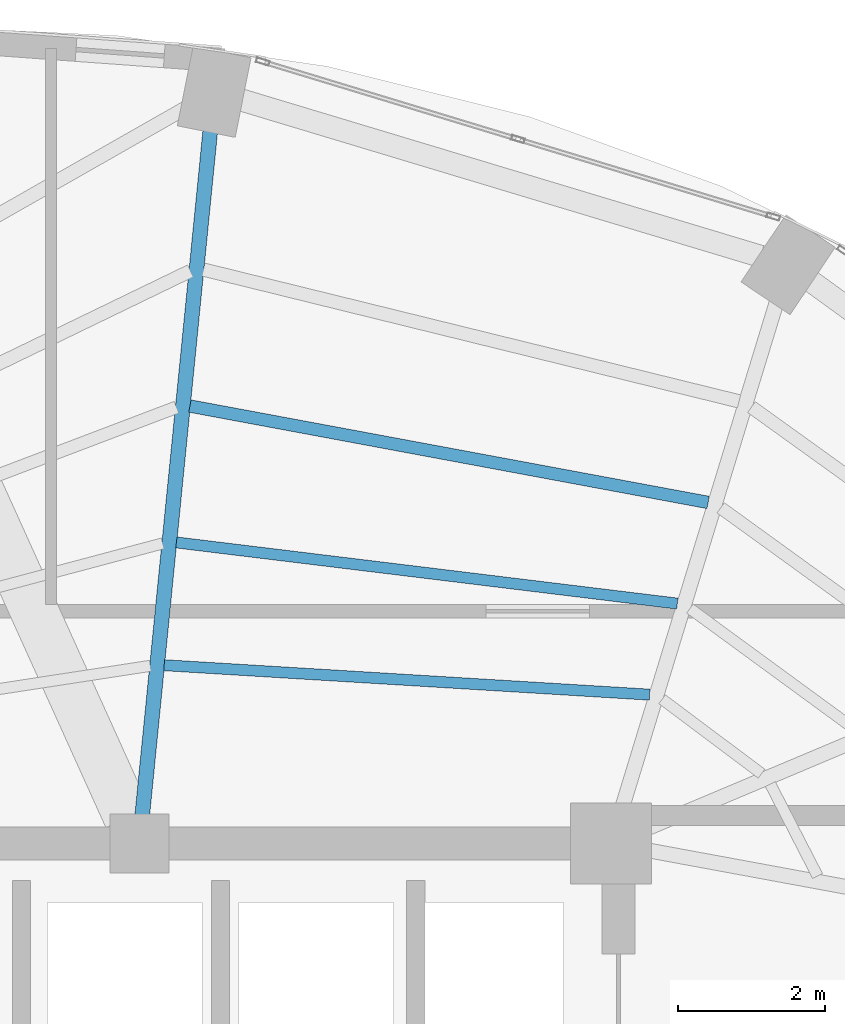
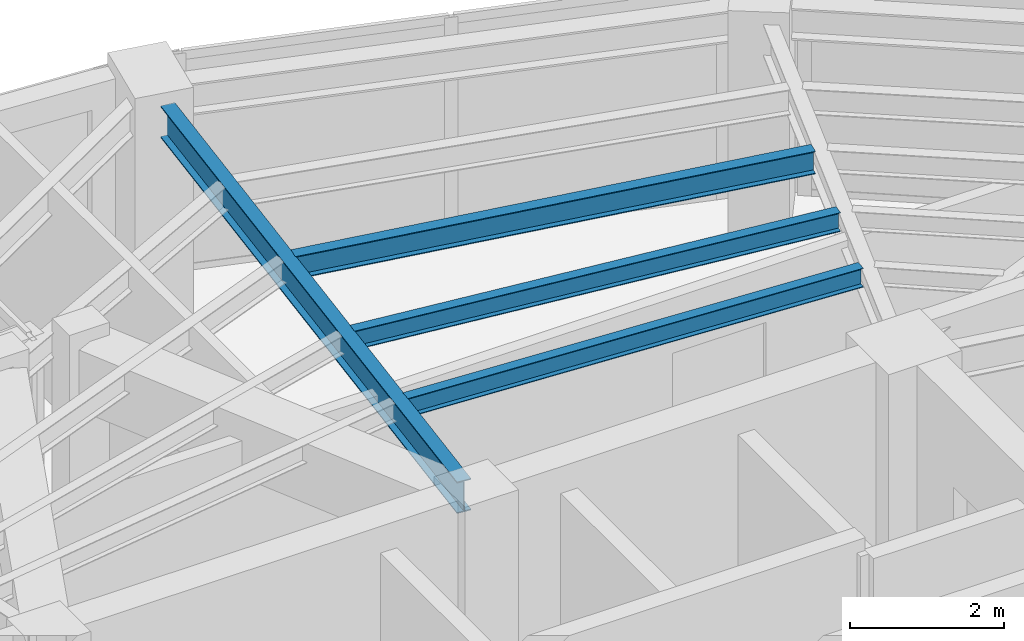
# One storey, part 12 of 22: 4 beams.
"""IFC4 building model written with IfcOpenShell, lengths in metres."""

from ifc_helpers import new_model, si_unit, direction, frame, origin, origin_2d, place, context, subcontext, project, spatial, i_section, extrude, material, material_profile, profile_set, type_object, element, save


model = new_model("IFC4")

# Units and contexts
model_context = context("Model", 3, precision=1e-05, world=origin(), true_north=direction((0.0, 1.0)))
body_context = subcontext(model_context, "Body", "Model", "MODEL_VIEW")
ifc_project = project(units=[si_unit("LENGTHUNIT", "METRE"), si_unit("AREAUNIT", "SQUARE_METRE"), si_unit("VOLUMEUNIT", "CUBIC_METRE"), si_unit("PLANEANGLEUNIT", "RADIAN"), si_unit("MASSUNIT", "GRAM", prefix="KILO")], contexts=[model_context])

# Site, building, storey
site_placement = place(None, origin())
site = spatial("IfcSite", under=ifc_project, at=site_placement, CompositionType="ELEMENT")
building_placement = place(site_placement, origin())
building = spatial("IfcBuilding", under=site, at=building_placement, Name="Lazwardi Medical Tower", CompositionType="ELEMENT")
storey_placement = place(building_placement, frame((0.0, 0.0, 251.3759765625)))
storey = spatial("IfcBuildingStorey", under=building, at=storey_placement, Name="L65", CompositionType="ELEMENT", Elevation=251.3759765625)

# Beams
ifc_material = material(Name="Steel S355", Category="steel")
ifc_material_profile_1 = material_profile(ifc_material, i_section(OverallWidth=0.199951171875, OverallDepth=0.5, WebThickness=0.01025390625, FlangeThickness=0.01611328125, at=origin_2d()), Name="IPE 500")
ifc_profile_set_1 = profile_set([ifc_material_profile_1], Name="Steel S355")
beam_type_1 = type_object("IfcBeamType", Name="BM-RG-W3", PredefinedType="BEAM", material=ifc_profile_set_1)
beam_1_placement = place(storey_placement, frame((40.1611328125, 45.265869140625, 3.197998046875), z_axis=(-0.098954361922, -0.995091972763, 0.0), x_axis=(0.995091972763, -0.098954361922, 0.0)))
element("IfcBeam", 1, at=beam_1_placement, inside=storey, type_object=beam_type_1, Name="Radial girder RG-04 R08 L65", PredefinedType="BEAM", context=body_context, shape_type="SweptSolid", body=[
    extrude(i_section(OverallWidth=0.199951171875, OverallDepth=0.5, WebThickness=0.01025390625, FlangeThickness=0.01611328125, at=origin_2d()), origin(), (0.0, 0.0, 1.0), 9.32861328125),
])
ifc_material_profile_2 = material_profile(ifc_material, i_section(OverallWidth=0.169921875, OverallDepth=0.360107421875, WebThickness=0.008056640625, FlangeThickness=0.0126953125, at=origin_2d()), Name="IPE 360")
ifc_profile_set_2 = profile_set([ifc_material_profile_2], Name="Steel S355")
beam_type_2 = type_object("IfcBeamType", Name="BM-SJ-02", PredefinedType="JOIST", material=ifc_profile_set_2)
beam_2_placement = place(storey_placement, frame((46.91552734375, 40.2275390625, 3.26806640625), z_axis=(-0.983132476587, 0.182894870019, 0.0), x_axis=(-0.182894870019, -0.983132476587, 0.0)))
element("IfcBeam", 2, at=beam_2_placement, inside=storey, type_object=beam_type_2, Name="Secondary joist SJ-02 R2 B07 L65", PredefinedType="JOIST", context=body_context, shape_type="SweptSolid", body=[
    extrude(i_section(OverallWidth=0.169921875, OverallDepth=0.360107421875, WebThickness=0.008056640625, FlangeThickness=0.0126953125, at=origin_2d()), origin(), (0.0, 0.0, 1.0), 7.15087890625),
])
ifc_material_profile_3 = material_profile(ifc_material, i_section(OverallWidth=0.14990234375, OverallDepth=0.300048828125, WebThickness=0.007080078125, FlangeThickness=0.0107421875, at=origin_2d()), Name="IPE 300")
ifc_profile_set_3 = profile_set([ifc_material_profile_3], Name="Steel S355")
beam_type_3 = type_object("IfcBeamType", Name="BM-SJ-03", PredefinedType="JOIST", material=ifc_profile_set_3)
beam_3_placement = place(storey_placement, frame((46.4970703125, 38.85546875, 3.298095703125), z_axis=(-0.992634689535, 0.121146081783, 0.0), x_axis=(-0.121146081783, -0.992634689535, 0.0)))
element("IfcBeam", 3, at=beam_3_placement, inside=storey, type_object=beam_type_3, Name="Secondary joist SJ-03 R3 B07 L65", PredefinedType="JOIST", context=body_context, shape_type="SweptSolid", body=[
    extrude(i_section(OverallWidth=0.14990234375, OverallDepth=0.300048828125, WebThickness=0.007080078125, FlangeThickness=0.0107421875, at=origin_2d()), origin(), (0.0, 0.0, 1.0), 6.845947265625),
])
beam_4_placement = place(storey_placement, frame((46.120849609375, 37.6201171875, 3.298095703125), z_axis=(-0.998165515862, 0.060544223044, 0.0), x_axis=(-0.060544223044, -0.998165515862, 0.0)))
element("IfcBeam", 4, at=beam_4_placement, inside=storey, type_object=beam_type_3, Name="Secondary joist SJ-03 R4 B07 L65", PredefinedType="JOIST", context=body_context, shape_type="SweptSolid", body=[
    extrude(i_section(OverallWidth=0.14990234375, OverallDepth=0.300048828125, WebThickness=0.007080078125, FlangeThickness=0.0107421875, at=origin_2d()), origin(), (0.0, 0.0, 1.0), 6.59716796875),
])

save(model, "model.ifc")
